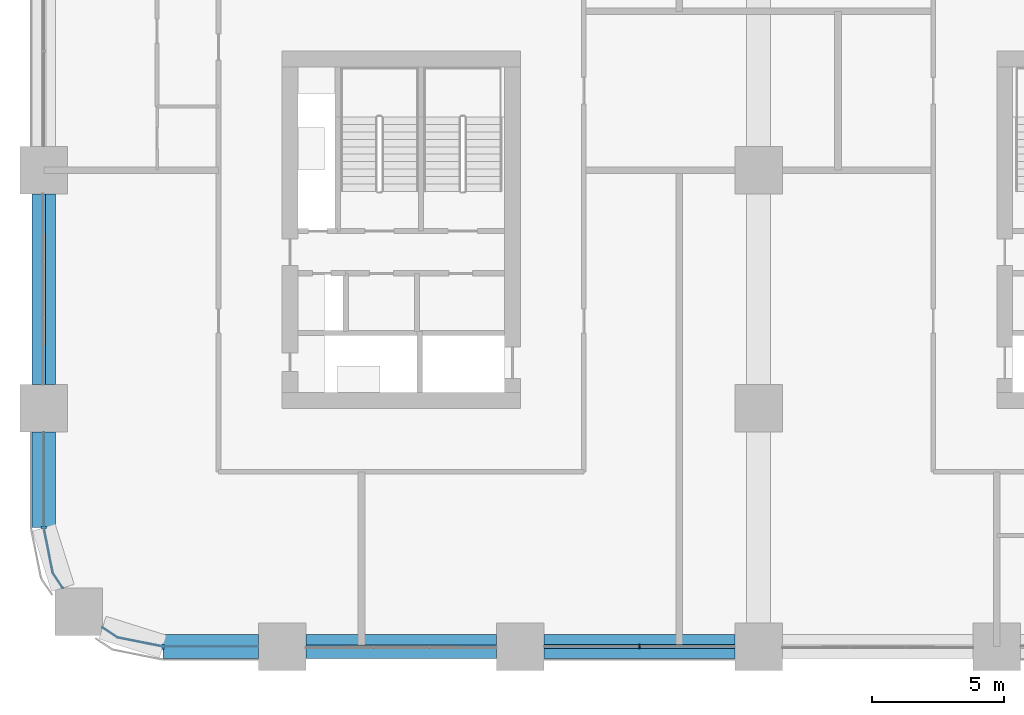
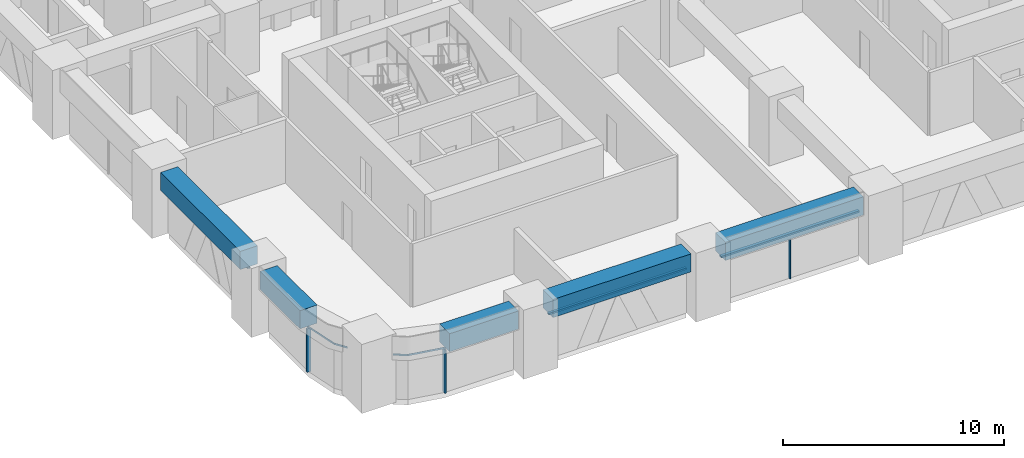
# One storey, part 2 of 21: 8 members, 5 beams, 5 elements without a shape of their own.
"""IFC4 building model written with IfcOpenShell, lengths in metres."""

from ifc_helpers import new_model, si_unit, direction, frame, origin, origin_2d, place, context, subcontext, project, spatial, polyline, rectangle, outline, extrude, material, material_profile, profile_set, type_object, element, aggregate, save


model = new_model("IFC4")

# Units and contexts
model_context = context("Model", 3, precision=1e-05, world=origin(), true_north=direction((0.0, 1.0)))
body_context = subcontext(model_context, "Body", "Model", "MODEL_VIEW")
ifc_project = project(units=[si_unit("LENGTHUNIT", "METRE"), si_unit("AREAUNIT", "SQUARE_METRE"), si_unit("VOLUMEUNIT", "CUBIC_METRE"), si_unit("PLANEANGLEUNIT", "RADIAN"), si_unit("MASSUNIT", "GRAM", prefix="KILO")], contexts=[model_context])

# Site, building, storey
site_placement = place(None, origin())
site = spatial("IfcSite", under=ifc_project, at=site_placement, CompositionType="ELEMENT")
building_placement = place(site_placement, origin())
building = spatial("IfcBuilding", under=site, at=building_placement, Name="Tessera Arch", CompositionType="ELEMENT")
storey_placement = place(building_placement, frame((0.0, 0.0, 65.199951171875)))
storey = spatial("IfcBuildingStorey", under=building, at=storey_placement, Name="L14", CompositionType="ELEMENT", Elevation=65.199951171875)

# Curtain wall, members
ifc_material_1 = material(Name="CW1 curtain wall")
curtain_wall_type_1 = type_object("IfcCurtainWallType", Name="CW1 curtain wall", PredefinedType="NOTDEFINED", material=ifc_material_1)
curtain_wall_1_placement = place(storey_placement, origin())
curtain_wall_1 = element("IfcCurtainWall", 1, at=curtain_wall_1_placement, inside=storey, type_object=curtain_wall_type_1, Name="CW1 curtain wall S0.0/1 L14", PredefinedType="NOTDEFINED")
ifc_material_2 = material(Name="Anodised aluminium pale metal", Category="aluminium")
ifc_material_profile_1 = material_profile(ifc_material_2, rectangle(XDim=0.159912109375, YDim=0.06005859375, at=origin_2d()), Name="AL 60x160")
ifc_profile_set_1 = profile_set([ifc_material_profile_1], Name="Anodised aluminium pale metal")
member_type_1 = type_object("IfcMemberType", Name="CW1 mullion", PredefinedType="MULLION", material=ifc_profile_set_1)
member_1_placement = place(storey_placement, frame((22.5, 0.0, 0.0), z_axis=(0.0, 0.0, 1.0), x_axis=(0.0, 1.0, 0.0)))
member_1 = element("IfcMember", 2, at=member_1_placement, type_object=member_type_1, Name="CW1 mullion S0.0/1 1", PredefinedType="MULLION", context=body_context, shape_type="SweptSolid", body=[
    extrude(rectangle(XDim=0.159912109375, YDim=0.06005859375, at=origin_2d()), origin(), (0.0, 0.0, 1.0), 2.400146484375),
])
ifc_material_3 = material(Name="Anodised aluminium pale metal", Category="aluminium")
ifc_material_profile_2 = material_profile(ifc_material_3, rectangle(XDim=0.159912109375, YDim=0.10009765625, at=origin_2d()), Name="AL 160x100")
ifc_profile_set_2 = profile_set([ifc_material_profile_2], Name="Anodised aluminium pale metal")
member_type_2 = type_object("IfcMemberType", Name="CW1 transom", PredefinedType="USERDEFINED", material=ifc_profile_set_2)
member_2_placement = place(storey_placement, frame((18.89990234375, 0.0, 2.449951171875), z_axis=(1.0, 0.0, 0.0), x_axis=(0.0, 1.0, 0.0)))
member_2 = element("IfcMember", 3, at=member_2_placement, type_object=member_type_2, Name="CW1 transom S0.0/1 1.1", ObjectType="TRANSOM", PredefinedType="USERDEFINED", context=body_context, shape_type="SweptSolid", body=[
    extrude(rectangle(XDim=0.159912109375, YDim=0.10009765625, at=origin_2d()), origin(), (0.0, 0.0, 1.0), 7.2001953125),
])
aggregate(curtain_wall_1, [member_1, member_2])

# Curtain wall, member
ifc_material_4 = material(Name="CW2 curtain wall")
curtain_wall_type_2 = type_object("IfcCurtainWallType", Name="CW2 curtain wall", PredefinedType="NOTDEFINED", material=ifc_material_4)
curtain_wall_2_placement = place(storey_placement, origin())
curtain_wall_2 = element("IfcCurtainWall", 4, at=curtain_wall_2_placement, inside=storey, type_object=curtain_wall_type_2, Name="CW2 curtain wall W0.0/5 L14", PredefinedType="NOTDEFINED")
ifc_material_5 = material(Name="Anodised aluminium pale metal", Category="aluminium")
ifc_material_profile_3 = material_profile(ifc_material_5, rectangle(XDim=0.199951171875, YDim=0.080078125, at=origin_2d()), Name="AL 80x200")
ifc_profile_set_3 = profile_set([ifc_material_profile_3], Name="Anodised aluminium pale metal")
member_type_3 = type_object("IfcMemberType", Name="CW2 mullion", PredefinedType="MULLION", material=ifc_profile_set_3)
member_3_placement = place(storey_placement, frame((0.0, 4.5, 0.0), z_axis=(0.0, 0.0, 1.0), x_axis=(1.0, 0.0, 0.0)))
member_3 = element("IfcMember", 5, at=member_3_placement, type_object=member_type_3, Name="CW2 mullion W0.0/5 1", PredefinedType="MULLION", context=body_context, shape_type="SweptSolid", body=[
    extrude(rectangle(XDim=0.199951171875, YDim=0.080078125, at=origin_2d()), origin(), (0.0, 0.0, 1.0), 2.400146484375),
])

curtain_wall_3_placement = place(storey_placement, origin())
curtain_wall_3 = element("IfcCurtainWall", 6, at=curtain_wall_3_placement, inside=storey, type_object=curtain_wall_type_2, Name="CW2 curtain wall S0.0/5 L14", PredefinedType="NOTDEFINED")
member_4_placement = place(storey_placement, frame((4.5, 0.0, 0.0), z_axis=(0.0, 0.0, 1.0), x_axis=(0.0, 1.0, 0.0)))
member_4 = element("IfcMember", 7, at=member_4_placement, type_object=member_type_3, Name="CW2 mullion S0.0/5 1", PredefinedType="MULLION", context=body_context, shape_type="SweptSolid", body=[
    extrude(rectangle(XDim=0.199951171875, YDim=0.080078125, at=origin_2d()), origin(), (0.0, 0.0, 1.0), 2.400146484375),
])

# Member
ifc_material_6 = material(Name="Anodised aluminium pale metal", Category="aluminium")
ifc_material_profile_4 = material_profile(ifc_material_6, rectangle(XDim=0.199951171875, YDim=0.10009765625, at=origin_2d()), Name="AL 200x100")
ifc_profile_set_4 = profile_set([ifc_material_profile_4], Name="Anodised aluminium pale metal")
member_type_4 = type_object("IfcMemberType", Name="CW2 transom", PredefinedType="USERDEFINED", material=ifc_profile_set_4)
member_5_placement = place(storey_placement, frame((0.0, 0.0, 2.400146484375)))
member_5 = element("IfcMember", 8, at=member_5_placement, type_object=member_type_4, Name="CW2 transom W0.0/5 1", ObjectType="TRANSOM", PredefinedType="USERDEFINED", context=body_context, shape_type="SweptSolid", body=[
    extrude(outline(polyline([(0.010009765625, 4.5009765625), (0.010009765625, 8.10009765625), (-0.010009765625, 8.10009765625), (-0.010009765625, 4.4990234375), (0.3330078125, 2.77392578125), (0.70849609375, 2.21240234375), (0.72509765625, 2.2236328125), (0.351806640625, 2.78173828125), (0.010009765625, 4.5009765625)])), origin(), (0.0, 0.0, 1.0), 0.099853515625),
])

aggregate(curtain_wall_2, [member_3, member_5])

member_6_placement = place(storey_placement, frame((0.0, 0.0, 2.400146484375)))
member_6 = element("IfcMember", 9, at=member_6_placement, type_object=member_type_4, Name="CW2 transom S0.0/5 1", ObjectType="TRANSOM", PredefinedType="USERDEFINED", context=body_context, shape_type="SweptSolid", body=[
    extrude(outline(polyline([(2.78173828125, 0.351806640625), (2.2236328125, 0.72509765625), (2.21240234375, 0.70849609375), (2.77392578125, 0.3330078125), (4.4990234375, -0.010009765625), (8.10009765625, -0.010009765625), (8.10009765625, 0.010009765625), (4.5009765625, 0.010009765625), (2.78173828125, 0.351806640625)])), origin(), (0.0, 0.0, 1.0), 0.099853515625),
])

aggregate(curtain_wall_3, [member_4, member_6])

# Curtain wall, member
ifc_material_7 = material(Name="CW3 curtain wall")
curtain_wall_type_3 = type_object("IfcCurtainWallType", Name="CW3 curtain wall", PredefinedType="NOTDEFINED", material=ifc_material_7)
curtain_wall_4_placement = place(storey_placement, origin())
curtain_wall_4 = element("IfcCurtainWall", 10, at=curtain_wall_4_placement, inside=storey, type_object=curtain_wall_type_3, Name="CW3 curtain wall S0.0/0 L14", PredefinedType="NOTDEFINED")
ifc_material_8 = material(Name="Anodised aluminium pale metal", Category="aluminium")
ifc_material_profile_5 = material_profile(ifc_material_8, rectangle(XDim=0.139892578125, YDim=0.10009765625, at=origin_2d()), Name="AL 140x100")
ifc_profile_set_5 = profile_set([ifc_material_profile_5], Name="Anodised aluminium pale metal")
member_type_5 = type_object("IfcMemberType", Name="CW3 transom", PredefinedType="USERDEFINED", material=ifc_profile_set_5)
member_7_placement = place(storey_placement, frame((9.89990234375, 0.0, 2.449951171875), z_axis=(1.0, 0.0, 0.0), x_axis=(0.0, 1.0, 0.0)))
member_7 = element("IfcMember", 11, at=member_7_placement, type_object=member_type_5, Name="CW3 transom S0.0/0 1.1", ObjectType="TRANSOM", PredefinedType="USERDEFINED", context=body_context, shape_type="SweptSolid", body=[
    extrude(rectangle(XDim=0.139892578125, YDim=0.10009765625, at=origin_2d()), origin(), (0.0, 0.0, 1.0), 7.2001953125),
])
aggregate(curtain_wall_4, [member_7])

curtain_wall_5_placement = place(storey_placement, origin())
curtain_wall_5 = element("IfcCurtainWall", 12, at=curtain_wall_5_placement, inside=storey, type_object=curtain_wall_type_3, Name="CW3 curtain wall W0.0/4 L14", PredefinedType="NOTDEFINED")
member_8_placement = place(storey_placement, frame((0.0, 17.10009765625, 2.449951171875), z_axis=(0.0, -1.0, 0.0), x_axis=(1.0, 0.0, 0.0)))
member_8 = element("IfcMember", 13, at=member_8_placement, type_object=member_type_5, Name="CW3 transom W0.0/4 1.1", ObjectType="TRANSOM", PredefinedType="USERDEFINED", context=body_context, shape_type="SweptSolid", body=[
    extrude(rectangle(XDim=0.139892578125, YDim=0.10009765625, at=origin_2d()), origin(), (0.0, 0.0, 1.0), 7.2001953125),
])
aggregate(curtain_wall_5, [member_8])

# Beams
ifc_material_9 = material(Name="Concrete C80/95", Category="concrete")
ifc_material_profile_6 = material_profile(ifc_material_9, rectangle(XDim=0.89990234375, YDim=1.0, at=origin_2d()), Name="RC spandrel beam 900 x 1000 Concrete C80/95")
ifc_profile_set_6 = profile_set([ifc_material_profile_6], Name="Concrete C80/95")
beam_type = type_object("IfcBeamType", Name="RC spandrel beam 900 x 1000 Concrete C80/95", PredefinedType="BEAM", material=ifc_profile_set_6)
for number, where, z_axis, x_axis, name in (
    (14, (9.89990234375, 0.0, 3.0), (1.0, 0.0, 0.0), (0.0, 1.0, 0.0), "Spandrel beam L14 S0.0/0"),
    (15, (18.89990234375, 0.0, 3.0), (1.0, 0.0, 0.0), (0.0, 1.0, 0.0), "Spandrel beam L14 S0.0/1"),
    (16, (0.0, 17.10009765625, 3.0), (0.0, -1.0, 0.0), (1.0, 0.0, 0.0), "Spandrel beam L14 W0.0/4"),
):
    element("IfcBeam", number, at=place(storey_placement, frame(where, z_axis=z_axis, x_axis=x_axis)), inside=storey, type_object=beam_type, Name=name, PredefinedType="BEAM", context=body_context, shape_type="SweptSolid", body=[
        extrude(rectangle(XDim=0.89990234375, YDim=1.0, at=origin_2d()), origin(), (0.0, 0.0, 1.0), 7.2001953125),
    ])
for number, where, z_axis, x_axis, name in (
    (17, (0.0, 8.10009765625, 3.0), (0.0, -1.0, 0.0), (1.0, 0.0, 0.0), "Spandrel beam L14 W0.0/5.1"),
    (18, (4.5, 0.0, 3.0), (1.0, 0.0, 0.0), (0.0, 1.0, 0.0), "Spandrel beam L14 S0.0/5.2"),
):
    element("IfcBeam", number, at=place(storey_placement, frame(where, z_axis=z_axis, x_axis=x_axis)), inside=storey, type_object=beam_type, Name=name, PredefinedType="BEAM", context=body_context, shape_type="SweptSolid", body=[
        extrude(rectangle(XDim=0.89990234375, YDim=1.0, at=origin_2d()), origin(), (0.0, 0.0, 1.0), 3.60009765625),
    ])

save(model, "model.ifc")
